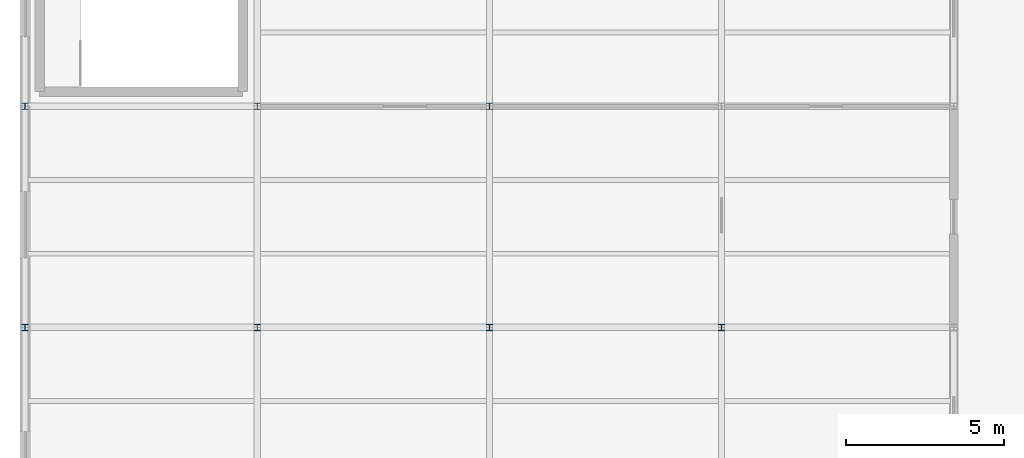
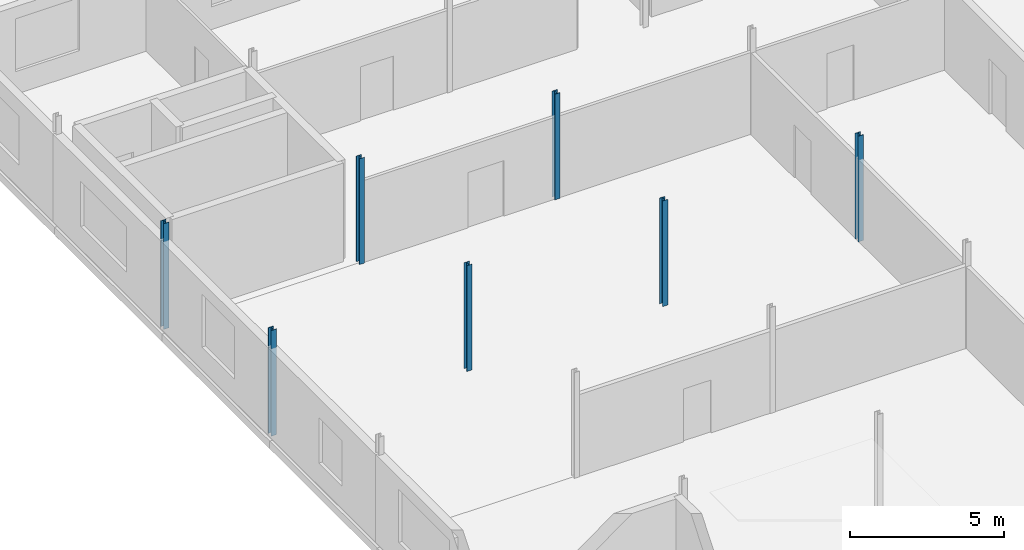
# One storey, part 3 of 10: 7 columns.
"""IFC4 building model written with IfcOpenShell, lengths in metres."""

from ifc_helpers import new_model, si_unit, direction, frame, origin, origin_2d, place, context, subcontext, project, spatial, i_section, extrude, material, material_profile, profile_set, type_object, element, save


model = new_model("IFC4")

# Units and contexts
model_context = context("Model", 3, precision=1e-05, world=origin(), true_north=direction((0.0, 1.0)))
body_context = subcontext(model_context, "Body", "Model", "MODEL_VIEW")
ifc_project = project(units=[si_unit("LENGTHUNIT", "METRE"), si_unit("AREAUNIT", "SQUARE_METRE"), si_unit("VOLUMEUNIT", "CUBIC_METRE"), si_unit("PLANEANGLEUNIT", "RADIAN"), si_unit("MASSUNIT", "GRAM", prefix="KILO")], contexts=[model_context])

# Site, building, storey
site_placement = place(None, origin())
site = spatial("IfcSite", under=ifc_project, at=site_placement, CompositionType="ELEMENT")
building_placement = place(site_placement, origin())
building = spatial("IfcBuilding", under=site, at=building_placement, Name="Kazenagashi Tramway Depot", CompositionType="ELEMENT")
storey_placement = place(building_placement, frame((0.0, 0.0, 19.5)))
storey = spatial("IfcBuildingStorey", under=building, at=storey_placement, Name="L05", CompositionType="ELEMENT", Elevation=19.5)

# Columns
ifc_material = material(Name="Steel SN400B", Category="steel")
ifc_material_profile = material_profile(ifc_material, i_section(OverallWidth=0.2, OverallDepth=0.2, WebThickness=0.008, FlangeThickness=0.012, at=origin_2d()), Name="H-200x200x8x12")
ifc_profile_set = profile_set([ifc_material_profile], Name="Steel SN400B")
column_type = type_object("IfcColumnType", Name="C-07", PredefinedType="COLUMN", material=ifc_profile_set)
for number, where, z_axis, x_axis, name in (
    (1, (0.0, 21.0, 0.0), (0.0, 0.0, 1.0), (1.0, 0.0, 0.0), "Column C-07 COL-0548"),
    (2, (0.0, 28.0, 0.0), (0.0, 0.0, 1.0), (1.0, 0.0, 0.0), "Column C-07 COL-0553"),
    (3, (7.35, 21.0, 0.0), (0.0, 0.0, 1.0), (1.0, 0.0, 0.0), "Column C-07 COL-0590"),
    (4, (7.35, 28.0, 0.0), (0.0, 0.0, 1.0), (1.0, 0.0, 0.0), "Column C-07 COL-0595"),
    (5, (14.7, 21.0, 0.0), (0.0, 0.0, 1.0), (1.0, 0.0, 0.0), "Column C-07 COL-0635"),
    (6, (14.7, 28.0, 0.0), (0.0, 0.0, 1.0), (1.0, 0.0, 0.0), "Column C-07 COL-0640"),
    (7, (22.05, 21.0, 0.0), (0.0, 0.0, 1.0), (1.0, 0.0, 0.0), "Column C-07 COL-0677"),
):
    element("IfcColumn", number, at=place(storey_placement, frame(where, z_axis=z_axis, x_axis=x_axis)), inside=storey, type_object=column_type, Name=name, PredefinedType="COLUMN", context=body_context, shape_type="SweptSolid", body=[
        extrude(i_section(OverallWidth=0.2, OverallDepth=0.2, WebThickness=0.008, FlangeThickness=0.012, at=origin_2d()), origin(), (0.0, 0.0, 1.0), 4.2),
    ])

save(model, "model.ifc")
